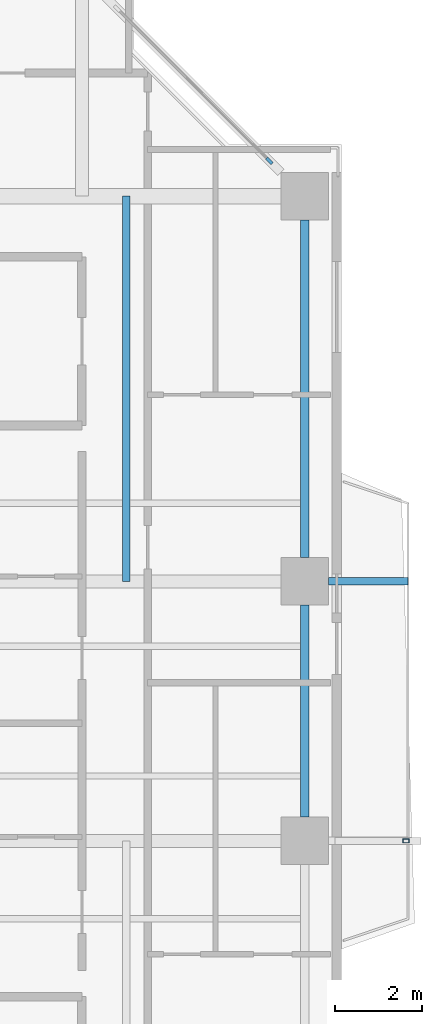
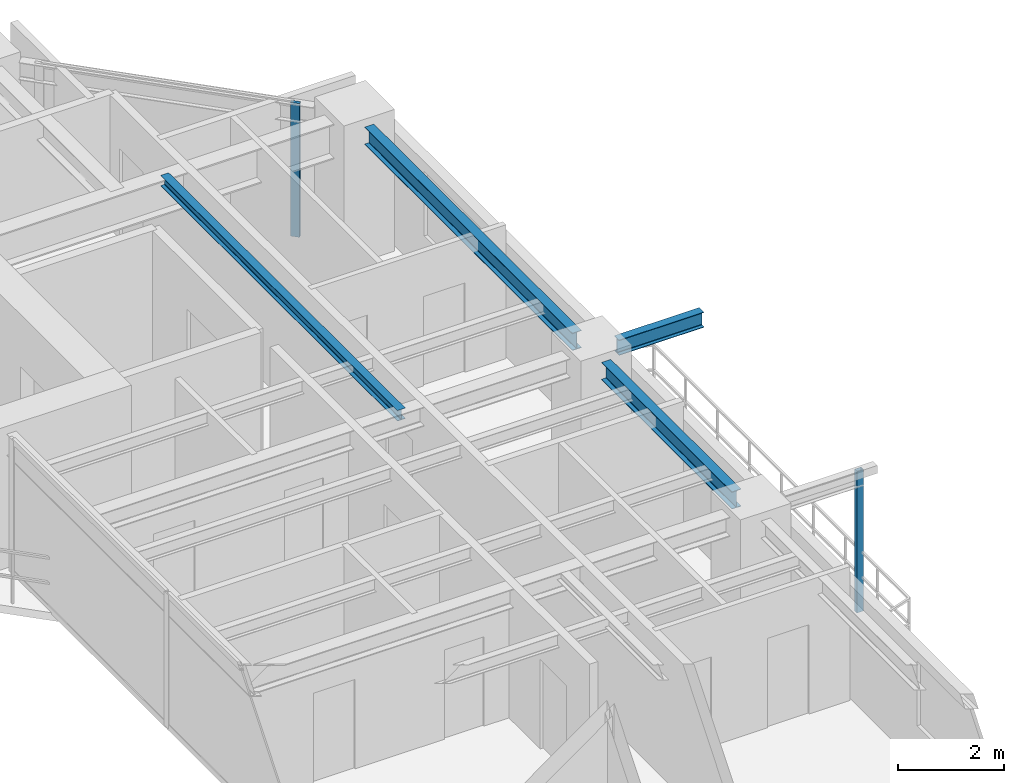
# One storey, part 7 of 17: 4 beams, 2 members, 1 element without a shape of its own.
"""IFC4 building model written with IfcOpenShell, lengths in metres."""

from ifc_helpers import new_model, si_unit, direction, frame, origin, origin_2d, place, context, subcontext, project, spatial, rectangle, hollow_rectangle, i_section, extrude, source, transform, mapped, material, layer, layer_set, material_profile, profile_set, type_object, element, aggregate, save


model = new_model("IFC4")

# Units and contexts
model_context = context("Model", 3, precision=1e-05, world=origin(), true_north=direction((0.0, 1.0)))
body_context = subcontext(model_context, "Body", "Model", "MODEL_VIEW")
ifc_project = project(units=[si_unit("LENGTHUNIT", "METRE"), si_unit("AREAUNIT", "SQUARE_METRE"), si_unit("VOLUMEUNIT", "CUBIC_METRE"), si_unit("PLANEANGLEUNIT", "RADIAN"), si_unit("MASSUNIT", "GRAM", prefix="KILO"), si_unit("THERMODYNAMICTEMPERATUREUNIT", "KELVIN"), si_unit("POWERUNIT", "WATT")], contexts=[model_context])

# Site, building, storey
site_placement = place(None, origin())
site = spatial("IfcSite", under=ifc_project, at=site_placement, CompositionType="ELEMENT")
building_placement = place(site_placement, origin())
building = spatial("IfcBuilding", under=site, at=building_placement, Name="Qiaomeng Ring Towers", CompositionType="ELEMENT")
storey_placement = place(building_placement, frame((0.0, 0.0, 119.75)))
storey = spatial("IfcBuildingStorey", under=building, at=storey_placement, Name="L34", CompositionType="ELEMENT", Elevation=119.75)

# Beams
ifc_material_1 = material(Name="Steel Q355B", Category="steel")
ifc_material_profile_1 = material_profile(ifc_material_1, i_section(OverallWidth=0.199951171875, OverallDepth=0.39990234375, WebThickness=0.008056640625, FlangeThickness=0.012939453125, FilletRadius=0.01611328125, at=origin_2d()), Name="HN 400x200x8x13")
ifc_profile_set_1 = profile_set([ifc_material_profile_1], Name="Steel Q355B")
beam_type_1 = type_object("IfcBeamType", Name="STR-BM-HN400", PredefinedType="SPANDREL", material=ifc_profile_set_1)
shared_shape_1 = source(origin(), body_context, "Body", "SweptSolid", [
    extrude(i_section(OverallWidth=0.199951171875, OverallDepth=0.39990234375, WebThickness=0.008056640625, FlangeThickness=0.012939453125, FilletRadius=0.01611328125, at=origin_2d()), origin(), (0.0, 0.0, 1.0), 7.802001953125),
])
beam_1_placement = place(storey_placement, frame((36.050048828125, 26.549072265625, 2.8701171875), z_axis=(0.0, 1.0, 0.0), x_axis=(-1.0, 0.0, 0.0)))
element("IfcBeam", 1, at=beam_1_placement, inside=storey, type_object=beam_type_1, Name="L34 beam STR-SP-L34-T1-E3-E4", PredefinedType="SPANDREL", context=body_context, shape_type="MappedRepresentation", body=[
    mapped(shared_shape_1, transform((0.0, 0.0, 0.0), x_axis=(1.0, 0.0, 0.0), y_axis=(0.0, 1.0, 0.0), z_axis=(0.0, 0.0, 1.0), scale=1.0)),
])
shared_shape_2 = source(origin(), body_context, "Body", "SweptSolid", [
    extrude(i_section(OverallWidth=0.199951171875, OverallDepth=0.39990234375, WebThickness=0.008056640625, FlangeThickness=0.012939453125, FilletRadius=0.01611328125, at=origin_2d()), origin(), (0.0, 0.0, 1.0), 4.90185546875),
])
beam_2_placement = place(storey_placement, frame((36.050048828125, 20.549072265625, 2.8701171875), z_axis=(0.0, 1.0, 0.0), x_axis=(-1.0, 0.0, 0.0)))
element("IfcBeam", 2, at=beam_2_placement, inside=storey, type_object=beam_type_1, Name="L34 beam STR-SP-L34-T1-E2-E3", PredefinedType="SPANDREL", context=body_context, shape_type="MappedRepresentation", body=[
    mapped(shared_shape_2, transform((0.0, 0.0, 0.0), x_axis=(1.0, 0.0, 0.0), y_axis=(0.0, 1.0, 0.0), z_axis=(0.0, 0.0, 1.0), scale=1.0)),
])
ifc_material_profile_2 = material_profile(ifc_material_1, i_section(OverallWidth=0.175048828125, OverallDepth=0.35009765625, WebThickness=0.007080078125, FlangeThickness=0.010986328125, FilletRadius=0.013916015625, at=origin_2d()), Name="HN 350x175x7x11")
ifc_profile_set_2 = profile_set([ifc_material_profile_2], Name="Steel Q355B")
beam_type_2 = type_object("IfcBeamType", Name="STR-BM-HN350", PredefinedType="JOIST", material=ifc_profile_set_2)
shared_shape_3 = source(origin(), body_context, "Body", "SweptSolid", [
    extrude(i_section(OverallWidth=0.175048828125, OverallDepth=0.35009765625, WebThickness=0.007080078125, FlangeThickness=0.010986328125, FilletRadius=0.013916015625, at=origin_2d()), origin(), (0.0, 0.0, 1.0), 1.8408203125),
])
beam_3_placement = place(storey_placement, frame((36.59912109375, 26.0, 2.89501953125), z_axis=(1.0, 0.0, 0.0), x_axis=(0.0, 1.0, 0.0)))
element("IfcBeam", 3, at=beam_3_placement, inside=storey, type_object=beam_type_2, Name="L34 beam STR-BALBM-L34-E3", PredefinedType="JOIST", context=body_context, shape_type="MappedRepresentation", body=[
    mapped(shared_shape_3, transform((0.0, 0.0, 0.0), x_axis=(1.0, 0.0, 0.0), y_axis=(0.0, 1.0, 0.0), z_axis=(0.0, 0.0, 1.0), scale=1.0)),
])
ifc_material_profile_3 = material_profile(ifc_material_1, i_section(OverallWidth=0.175048828125, OverallDepth=0.243896484375, WebThickness=0.007080078125, FlangeThickness=0.010986328125, FilletRadius=0.01611328125, at=origin_2d()), Name="HM 244x175x7x11")
ifc_profile_set_3 = profile_set([ifc_material_profile_3], Name="Steel Q355B")
beam_type_3 = type_object("IfcBeamType", Name="STR-BM-HM244", PredefinedType="JOIST", material=ifc_profile_set_3)
shared_shape_4 = source(origin(), body_context, "Body", "SweptSolid", [
    extrude(i_section(OverallWidth=0.175048828125, OverallDepth=0.243896484375, WebThickness=0.007080078125, FlangeThickness=0.010986328125, FilletRadius=0.01611328125, at=origin_2d()), origin(), (0.0, 0.0, 1.0), 8.89990234375),
])
beam_4_placement = place(storey_placement, frame((31.925048828125, 26.0, 2.947998046875), z_axis=(0.0, 1.0, 0.0), x_axis=(-1.0, 0.0, 0.0)))
element("IfcBeam", 4, at=beam_4_placement, inside=storey, type_object=beam_type_3, Name="L34 beam STR-JST-L34-T1C-EN", PredefinedType="JOIST", context=body_context, shape_type="MappedRepresentation", body=[
    mapped(shared_shape_4, transform((0.0, 0.0, 0.0), x_axis=(1.0, 0.0, 0.0), y_axis=(0.0, 1.0, 0.0), z_axis=(0.0, 0.0, 1.0), scale=1.0)),
])

# Curtain wall, member
ifc_material_2 = material(Name="Fluorocarbon dark-grey aluminium", Category="aluminium")
ifc_layer = layer(ifc_material_2, 0.14990234375, Name="Fluorocarbon dark-grey aluminium")
ifc_layer_set = layer_set([ifc_layer], Name="Fluorocarbon dark-grey aluminium")
curtain_wall_type = type_object("IfcCurtainWallType", Name="ARC-CW-3", PredefinedType="NOTDEFINED", material=ifc_layer_set)
curtain_wall_placement = place(storey_placement, origin())
curtain_wall = element("IfcCurtainWall", 5, at=curtain_wall_placement, inside=storey, type_object=curtain_wall_type, Name="L34 Curtain Wall CW3", PredefinedType="NOTDEFINED")
ifc_material_profile_4 = material_profile(ifc_material_2, rectangle(XDim=0.070068359375, YDim=0.179931640625, at=origin_2d()), Name="ALU MULL 70x180")
ifc_profile_set_4 = profile_set([ifc_material_profile_4], Name="Fluorocarbon dark-grey aluminium")
member_type_1 = type_object("IfcMemberType", Name="ARC-CWM-160", PredefinedType="MULLION", material=ifc_profile_set_4)
shared_shape_5 = source(origin(), body_context, "Body", "SweptSolid", [
    extrude(rectangle(XDim=0.070068359375, YDim=0.179931640625, at=origin_2d()), origin(), (0.0, 0.0, 1.0), 3.070068359375),
])
member_1_placement = place(storey_placement, frame((35.2353515625, 35.71484375, 0.0), z_axis=(0.0, 0.0, 1.0), x_axis=(-0.707106781187, -0.707106781187, 0.0)))
member_1 = element("IfcMember", 6, at=member_1_placement, type_object=member_type_1, Name="CW3 mullion 1", PredefinedType="MULLION", context=body_context, shape_type="MappedRepresentation", body=[
    mapped(shared_shape_5, transform((0.0, 0.0, 0.0), x_axis=(1.0, 0.0, 0.0), y_axis=(0.0, 1.0, 0.0), z_axis=(0.0, 0.0, 1.0), scale=1.0)),
])
aggregate(curtain_wall, [member_1])

# Member
ifc_material_3 = material(Name="Stainless steel 316", Category="steel")
ifc_material_profile_5 = material_profile(ifc_material_3, hollow_rectangle(XDim=0.090087890625, YDim=0.139892578125, WallThickness=0.0048828125, at=origin_2d()), Name="SS TRELLIS 90x140")
ifc_profile_set_5 = profile_set([ifc_material_profile_5], Name="Stainless steel 316")
member_type_2 = type_object("IfcMemberType", Name="ARC-TR-POST1", PredefinedType="STUD", material=ifc_profile_set_5)
shared_shape_6 = source(origin(), body_context, "Body", "SweptSolid", [
    extrude(hollow_rectangle(XDim=0.090087890625, YDim=0.139892578125, WallThickness=0.0048828125, at=origin_2d()), origin(), (0.0, 0.0, 1.0), 3.25),
])
member_2_placement = place(storey_placement, frame((38.389892578125, 20.0, -0.179931640625), z_axis=(0.0, 0.0, 1.0), x_axis=(0.0, 1.0, 0.0)))
element("IfcMember", 7, at=member_2_placement, inside=storey, type_object=member_type_2, Name="L34 Outer Ventilated Trellis Post E", PredefinedType="STUD", context=body_context, shape_type="MappedRepresentation", body=[
    mapped(shared_shape_6, transform((0.0, 0.0, 0.0), x_axis=(1.0, 0.0, 0.0), y_axis=(0.0, 1.0, 0.0), z_axis=(0.0, 0.0, 1.0), scale=1.0)),
])

save(model, "model.ifc")
